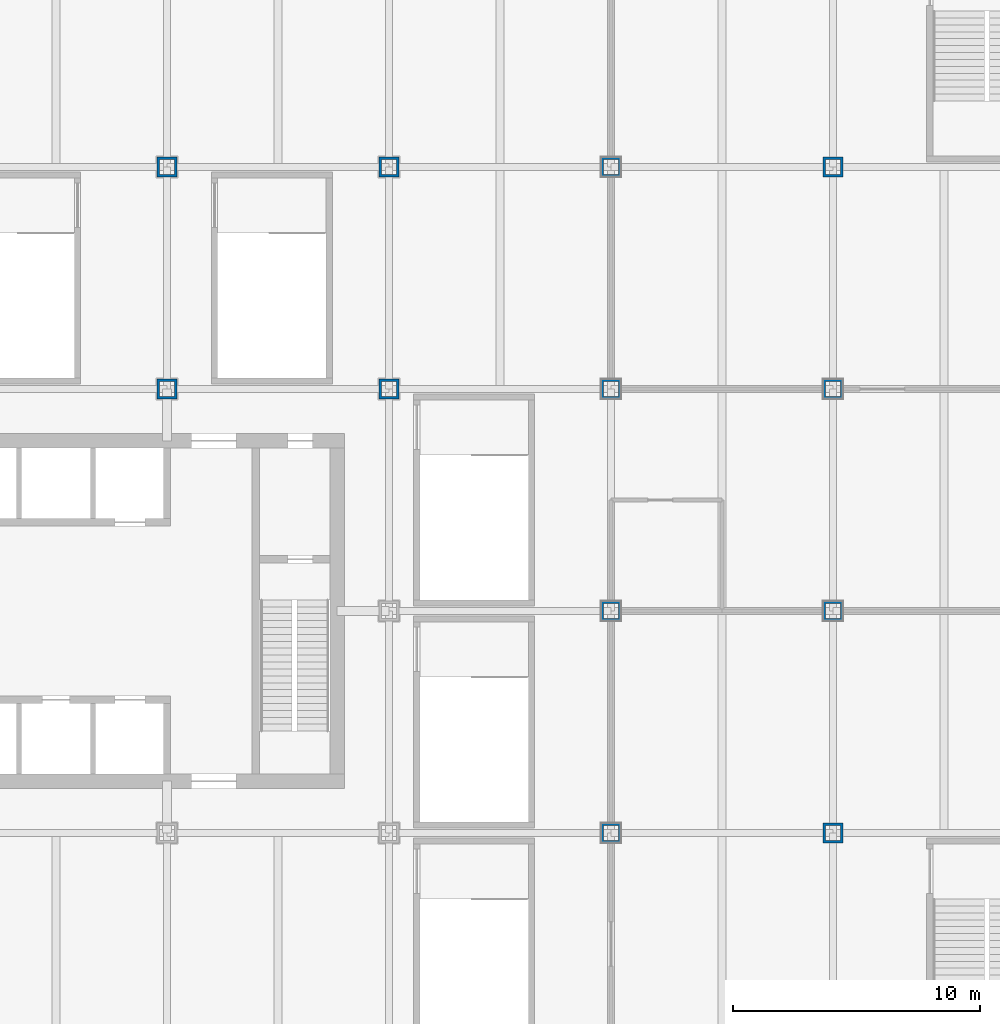
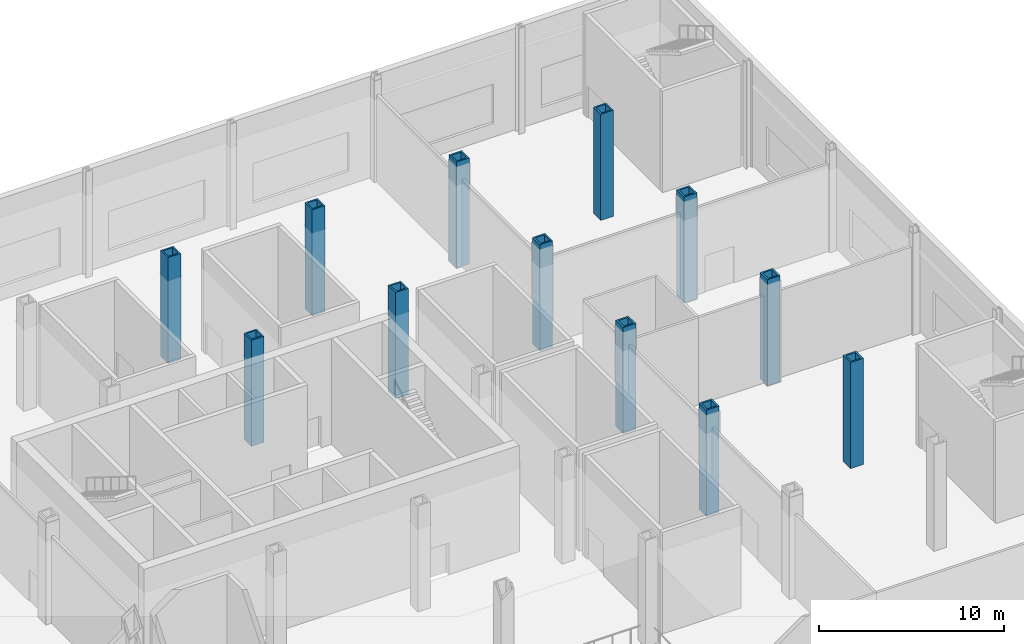
# One storey, part 4 of 32: 12 columns.
"""IFC4 building model written with IfcOpenShell, lengths in metres."""

from ifc_helpers import new_model, si_unit, direction, frame, origin, origin_2d, place, context, subcontext, project, spatial, hollow_rectangle, extrude, material, material_profile, profile_set, type_object, element, save


model = new_model("IFC4")

# Units and contexts
model_context = context("Model", 3, precision=1e-05, world=origin(), true_north=direction((0.0, 1.0)))
body_context = subcontext(model_context, "Body", "Model", "MODEL_VIEW")
ifc_project = project(units=[si_unit("LENGTHUNIT", "METRE"), si_unit("AREAUNIT", "SQUARE_METRE"), si_unit("VOLUMEUNIT", "CUBIC_METRE"), si_unit("PLANEANGLEUNIT", "RADIAN"), si_unit("MASSUNIT", "GRAM", prefix="KILO")], contexts=[model_context])

# Site, building, storey
site_placement = place(None, origin())
site = spatial("IfcSite", under=ifc_project, at=site_placement, CompositionType="ELEMENT")
building_placement = place(site_placement, origin())
building = spatial("IfcBuilding", under=site, at=building_placement, Name="Loomwork Tower", CompositionType="ELEMENT")
storey_placement = place(building_placement, frame((0.0, 0.0, 16.0)))
storey = spatial("IfcBuildingStorey", under=building, at=storey_placement, Name="L03", CompositionType="ELEMENT", Elevation=16.0)

# Columns
ifc_material_1 = material(Name="Steel ASTM A572 Grade 50 plate", Category="steel")
ifc_material_profile_1 = material_profile(ifc_material_1, hollow_rectangle(XDim=0.800048828125, YDim=0.800048828125, WallThickness=0.10009765625, at=origin_2d()), Name="BOX800x100")
ifc_profile_set_1 = profile_set([ifc_material_profile_1], Name="Steel ASTM A572 Grade 50 plate")
column_type_1 = type_object("IfcColumnType", Name="EXOSKELETON PIER BOX800x100", PredefinedType="COLUMN", material=ifc_profile_set_1)
for number, where, z_axis, x_axis, name in (
    (1, (27.0, 36.0, 0.0), (0.0, 0.0, 1.0), (1.0, 0.0, 0.0), "Exoskeleton Pier H/5 L03"),
    (2, (36.0, 36.0, 0.0), (0.0, 0.0, 1.0), (1.0, 0.0, 0.0), "Exoskeleton Pier H/6 L03"),
    (3, (45.0, 36.0, 0.0), (0.0, 0.0, 1.0), (1.0, 0.0, 0.0), "Exoskeleton Pier H/7 L03"),
    (4, (54.0, 9.0, 0.0), (0.0, 0.0, 1.0), (0.0, 1.0, 0.0), "Exoskeleton Pier E/8 L03"),
    (5, (54.0, 18.0, 0.0), (0.0, 0.0, 1.0), (0.0, 1.0, 0.0), "Exoskeleton Pier F/8 L03"),
    (6, (54.0, 27.0, 0.0), (0.0, 0.0, 1.0), (0.0, 1.0, 0.0), "Exoskeleton Pier G/8 L03"),
    (7, (54.0, 36.0, 0.0), (0.0, 0.0, 1.0), (1.0, 0.0, 0.0), "Exoskeleton Pier H/8 L03"),
):
    element("IfcColumn", number, at=place(storey_placement, frame(where, z_axis=z_axis, x_axis=x_axis)), inside=storey, type_object=column_type_1, Name=name, PredefinedType="COLUMN", context=body_context, shape_type="SweptSolid", body=[
        extrude(hollow_rectangle(XDim=0.800048828125, YDim=0.800048828125, WallThickness=0.10009765625, at=origin_2d()), origin(), (0.0, 0.0, 1.0), 7.0),
    ])
ifc_material_2 = material(Name="Steel ASTM A572 Grade 50 plate", Category="steel")
ifc_material_profile_2 = material_profile(ifc_material_2, hollow_rectangle(XDim=0.800048828125, YDim=0.800048828125, WallThickness=0.10009765625, at=origin_2d()), Name="BOX800x100")
ifc_profile_set_2 = profile_set([ifc_material_profile_2], Name="Steel ASTM A572 Grade 50 plate")
column_type_2 = type_object("IfcColumnType", Name="TOWER COLUMN BOX800x100", PredefinedType="COLUMN", material=ifc_profile_set_2)
for number, where, z_axis, x_axis, name in (
    (8, (27.0, 27.0, 0.0), (0.0, 0.0, 1.0), (1.0, 0.0, 0.0), "Tower Column G/5 L03"),
    (9, (36.0, 27.0, 0.0), (0.0, 0.0, 1.0), (1.0, 0.0, 0.0), "Tower Column G/6 L03"),
    (10, (45.0, 9.0, 0.0), (0.0, 0.0, 1.0), (0.0, 1.0, 0.0), "Tower Column E/7 L03"),
    (11, (45.0, 18.0, 0.0), (0.0, 0.0, 1.0), (0.0, 1.0, 0.0), "Tower Column F/7 L03"),
    (12, (45.0, 27.0, 0.0), (0.0, 0.0, 1.0), (0.0, 1.0, 0.0), "Tower Column G/7 L03"),
):
    element("IfcColumn", number, at=place(storey_placement, frame(where, z_axis=z_axis, x_axis=x_axis)), inside=storey, type_object=column_type_2, Name=name, PredefinedType="COLUMN", context=body_context, shape_type="SweptSolid", body=[
        extrude(hollow_rectangle(XDim=0.800048828125, YDim=0.800048828125, WallThickness=0.10009765625, at=origin_2d()), origin(), (0.0, 0.0, 1.0), 7.0),
    ])

save(model, "model.ifc")
